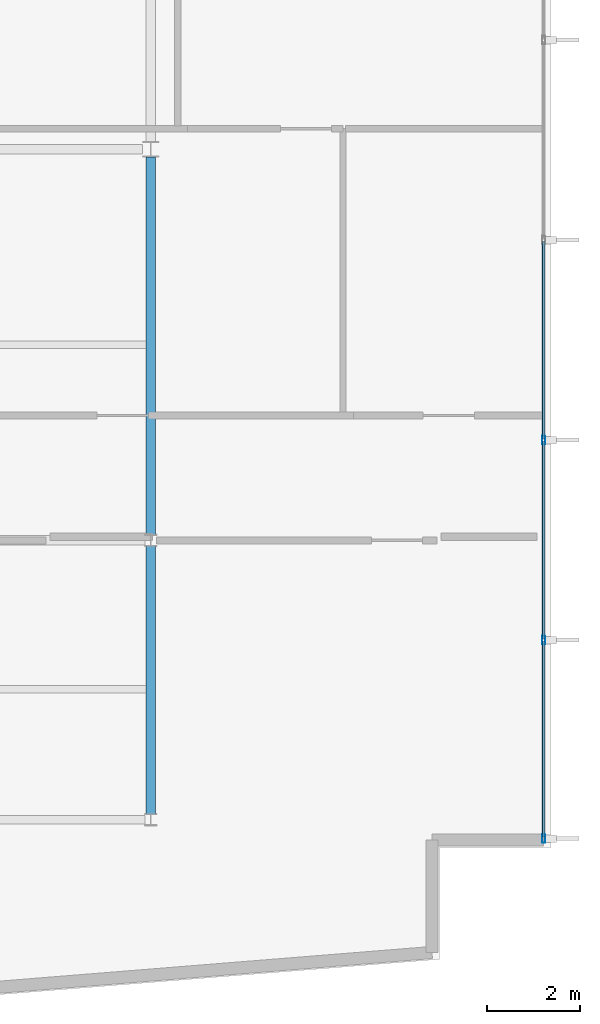
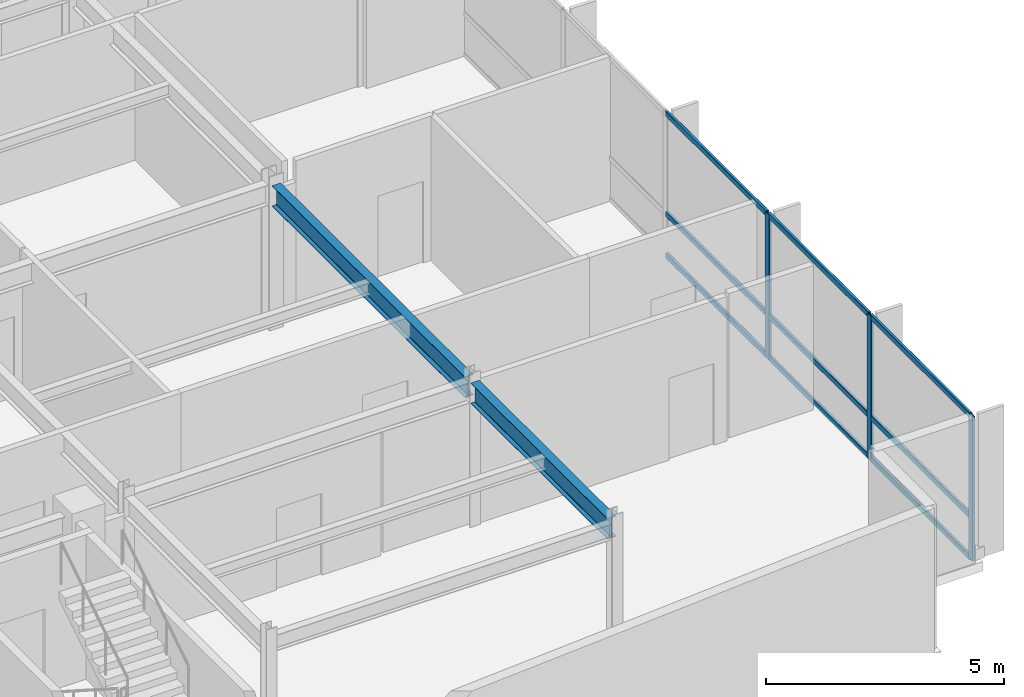
# One storey, part 7 of 16: 12 members, 2 beams, 1 element without a shape of its own.
"""IFC4 building model written with IfcOpenShell, lengths in metres."""

from ifc_helpers import new_model, si_unit, direction, frame, origin, origin_2d, place, context, subcontext, project, spatial, hollow_rectangle, i_section, extrude, material, layer, layer_set, material_profile, profile_set, type_object, element, aggregate, save


model = new_model("IFC4")

# Units and contexts
model_context = context("Model", 3, precision=1e-05, world=origin(), true_north=direction((0.0, 1.0)))
body_context = subcontext(model_context, "Body", "Model", "MODEL_VIEW")
ifc_project = project(units=[si_unit("LENGTHUNIT", "METRE"), si_unit("AREAUNIT", "SQUARE_METRE"), si_unit("VOLUMEUNIT", "CUBIC_METRE"), si_unit("PLANEANGLEUNIT", "RADIAN"), si_unit("MASSUNIT", "GRAM", prefix="KILO")], contexts=[model_context])

# Site, building, storey
site_placement = place(None, origin())
site = spatial("IfcSite", under=ifc_project, at=site_placement, CompositionType="ELEMENT")
building_placement = place(site_placement, origin())
building = spatial("IfcBuilding", under=site, at=building_placement, Name="Varnakote Quay Hospital", CompositionType="ELEMENT")
storey_placement = place(building_placement, frame((0.0, 0.0, 268.39990234375)))
storey = spatial("IfcBuildingStorey", under=building, at=storey_placement, Name="L66", CompositionType="ELEMENT", Elevation=268.39990234375)

# Beams
ifc_material_1 = material(Name="Structural steel AS/NZS 3679.1 Grade 350 L0 (fy 340 MPa)", Category="steel")
ifc_material_profile_1 = material_profile(ifc_material_1, i_section(OverallWidth=0.208984375, OverallDepth=0.528076171875, WebThickness=0.009521484375, FlangeThickness=0.01318359375, FilletRadius=0.013916015625, at=origin_2d()), Name="530UB82.0")
ifc_profile_set_1 = profile_set([ifc_material_profile_1], Name="Structural steel AS/NZS 3679.1 Grade 350 L0 (fy 340 MPa)")
beam_type = type_object("IfcBeamType", Name="BM-STL-530UB82-0", PredefinedType="BEAM", material=ifc_profile_set_1)
beam_1_placement = place(storey_placement, frame((33.60009765625, 6.126953125, 3.446044921875), z_axis=(0.0, 1.0, 0.0), x_axis=(-1.0, 0.0, 0.0)))
element("IfcBeam", 1, at=beam_1_placement, inside=storey, type_object=beam_type, Name="L66 Primary Tie Beam", PredefinedType="BEAM", context=body_context, shape_type="SweptSolid", body=[
    extrude(i_section(OverallWidth=0.208984375, OverallDepth=0.528076171875, WebThickness=0.009521484375, FlangeThickness=0.01318359375, FilletRadius=0.013916015625, at=origin_2d()), origin(), (0.0, 0.0, 1.0), 5.74609375),
])
beam_2_placement = place(storey_placement, frame((33.60009765625, 12.126953125, 3.446044921875), z_axis=(0.0, 1.0, 0.0), x_axis=(-1.0, 0.0, 0.0)))
element("IfcBeam", 2, at=beam_2_placement, inside=storey, type_object=beam_type, Name="L66 Primary Tie Beam", PredefinedType="BEAM", context=body_context, shape_type="SweptSolid", body=[
    extrude(i_section(OverallWidth=0.208984375, OverallDepth=0.528076171875, WebThickness=0.009521484375, FlangeThickness=0.01318359375, FilletRadius=0.013916015625, at=origin_2d()), origin(), (0.0, 0.0, 1.0), 8.10302734375),
])

# Curtain wall, members
ifc_material_2 = material(Name="Anodised aluminium 6063-T6 Bronze", Category="aluminium")
ifc_layer = layer(ifc_material_2, 0.235107421875)
ifc_layer_set = layer_set([ifc_layer], Name="Anodised aluminium 6063-T6 Bronze")
curtain_wall_type = type_object("IfcCurtainWallType", Name="CW-SYS-5", PredefinedType="NOTDEFINED", material=ifc_layer_set)
curtain_wall_placement = place(storey_placement, origin())
curtain_wall = element("IfcCurtainWall", 3, at=curtain_wall_placement, inside=storey, type_object=curtain_wall_type, Name="L66 Unitised Bronze Curtain Wall 1", PredefinedType="NOTDEFINED")
ifc_material_3 = material(Name="Anodised aluminium 6063-T6 Bronze", Category="aluminium")
ifc_material_profile_2 = material_profile(ifc_material_3, hollow_rectangle(XDim=0.06494140625, YDim=0.179931640625, WallThickness=0.00390625, InnerFilletRadius=0.00390625, OuterFilletRadius=0.008056640625, at=origin_2d()), Name="CW-MULL-180x65")
ifc_profile_set_2 = profile_set([ifc_material_profile_2], Name="Anodised aluminium 6063-T6 Bronze")
member_type_1 = type_object("IfcMemberType", Name="CW-MULL-180x65", PredefinedType="MULLION", material=ifc_profile_set_2)
member_1_placement = place(storey_placement, frame((42.0400390625, 5.592529296875, 0.0), z_axis=(0.0, 0.0, 1.0), x_axis=(-1.0, 0.0, 0.0)))
member_1 = element("IfcMember", 4, at=member_1_placement, type_object=member_type_1, Name="-5-L66-1 mullion 1", PredefinedType="MULLION", context=body_context, shape_type="SweptSolid", body=[
    extrude(hollow_rectangle(XDim=0.06494140625, YDim=0.179931640625, WallThickness=0.00390625, InnerFilletRadius=0.00390625, OuterFilletRadius=0.008056640625, at=origin_2d()), origin(), (0.0, 0.0, 1.0), 3.710205078125),
])
member_2_placement = place(storey_placement, frame((42.0400390625, 9.85595703125, 0.0), z_axis=(0.0, 0.0, 1.0), x_axis=(-1.0, 0.0, 0.0)))
member_2 = element("IfcMember", 5, at=member_2_placement, type_object=member_type_1, Name="-5-L66-1 mullion 2", PredefinedType="MULLION", context=body_context, shape_type="SweptSolid", body=[
    extrude(hollow_rectangle(XDim=0.06494140625, YDim=0.179931640625, WallThickness=0.00390625, InnerFilletRadius=0.00390625, OuterFilletRadius=0.008056640625, at=origin_2d()), origin(), (0.0, 0.0, 1.0), 3.710205078125),
])
member_3_placement = place(storey_placement, frame((42.0400390625, 14.152099609375, 0.0), z_axis=(0.0, 0.0, 1.0), x_axis=(-1.0, 0.0, 0.0)))
member_3 = element("IfcMember", 6, at=member_3_placement, type_object=member_type_1, Name="-5-L66-1 mullion 3", PredefinedType="MULLION", context=body_context, shape_type="SweptSolid", body=[
    extrude(hollow_rectangle(XDim=0.06494140625, YDim=0.179931640625, WallThickness=0.00390625, InnerFilletRadius=0.00390625, OuterFilletRadius=0.008056640625, at=origin_2d()), origin(), (0.0, 0.0, 1.0), 3.710205078125),
])
ifc_material_4 = material(Name="Anodised aluminium 6063-T6 Bronze", Category="aluminium")
ifc_material_profile_3 = material_profile(ifc_material_4, hollow_rectangle(XDim=0.06494140625, YDim=0.139892578125, WallThickness=0.00390625, InnerFilletRadius=0.00390625, OuterFilletRadius=0.007568359375, at=origin_2d()), Name="CW-TRAN-140x65")
ifc_profile_set_3 = profile_set([ifc_material_profile_3], Name="Anodised aluminium 6063-T6 Bronze")
member_type_2 = type_object("IfcMemberType", Name="CW-TRAN-140x65", PredefinedType="USERDEFINED", material=ifc_profile_set_3)
member_4_placement = place(storey_placement, frame((42.0400390625, 5.625, 0.03271484375), z_axis=(0.0, 1.0, 0.0), x_axis=(-1.0, 0.0, 0.0)))
member_4 = element("IfcMember", 7, at=member_4_placement, type_object=member_type_2, Name="-5-L66-1 transom 1.1", ObjectType="TRANSOM", PredefinedType="USERDEFINED", context=body_context, shape_type="SweptSolid", body=[
    extrude(hollow_rectangle(XDim=0.06494140625, YDim=0.139892578125, WallThickness=0.00390625, InnerFilletRadius=0.00390625, OuterFilletRadius=0.007568359375, at=origin_2d()), origin(), (0.0, 0.0, 1.0), 4.198486328125),
])
member_5_placement = place(storey_placement, frame((42.0400390625, 5.625, 1.10009765625), z_axis=(0.0, 1.0, 0.0), x_axis=(-1.0, 0.0, 0.0)))
member_5 = element("IfcMember", 8, at=member_5_placement, type_object=member_type_2, Name="-5-L66-1 transom 1.2", ObjectType="TRANSOM", PredefinedType="USERDEFINED", context=body_context, shape_type="SweptSolid", body=[
    extrude(hollow_rectangle(XDim=0.06494140625, YDim=0.139892578125, WallThickness=0.00390625, InnerFilletRadius=0.00390625, OuterFilletRadius=0.007568359375, at=origin_2d()), origin(), (0.0, 0.0, 1.0), 4.198486328125),
])
member_6_placement = place(storey_placement, frame((42.0400390625, 5.625, 3.677490234375), z_axis=(0.0, 1.0, 0.0), x_axis=(-1.0, 0.0, 0.0)))
member_6 = element("IfcMember", 9, at=member_6_placement, type_object=member_type_2, Name="-5-L66-1 transom 1.3", ObjectType="TRANSOM", PredefinedType="USERDEFINED", context=body_context, shape_type="SweptSolid", body=[
    extrude(hollow_rectangle(XDim=0.06494140625, YDim=0.139892578125, WallThickness=0.00390625, InnerFilletRadius=0.00390625, OuterFilletRadius=0.007568359375, at=origin_2d()), origin(), (0.0, 0.0, 1.0), 4.198486328125),
])
member_7_placement = place(storey_placement, frame((42.0400390625, 9.888427734375, 0.03271484375), z_axis=(0.0, 1.0, 0.0), x_axis=(-1.0, 0.0, 0.0)))
member_7 = element("IfcMember", 10, at=member_7_placement, type_object=member_type_2, Name="-5-L66-1 transom 2.1", ObjectType="TRANSOM", PredefinedType="USERDEFINED", context=body_context, shape_type="SweptSolid", body=[
    extrude(hollow_rectangle(XDim=0.06494140625, YDim=0.139892578125, WallThickness=0.00390625, InnerFilletRadius=0.00390625, OuterFilletRadius=0.007568359375, at=origin_2d()), origin(), (0.0, 0.0, 1.0), 4.23095703125),
])
member_8_placement = place(storey_placement, frame((42.0400390625, 9.888427734375, 1.10009765625), z_axis=(0.0, 1.0, 0.0), x_axis=(-1.0, 0.0, 0.0)))
member_8 = element("IfcMember", 11, at=member_8_placement, type_object=member_type_2, Name="-5-L66-1 transom 2.2", ObjectType="TRANSOM", PredefinedType="USERDEFINED", context=body_context, shape_type="SweptSolid", body=[
    extrude(hollow_rectangle(XDim=0.06494140625, YDim=0.139892578125, WallThickness=0.00390625, InnerFilletRadius=0.00390625, OuterFilletRadius=0.007568359375, at=origin_2d()), origin(), (0.0, 0.0, 1.0), 4.23095703125),
])
member_9_placement = place(storey_placement, frame((42.0400390625, 9.888427734375, 3.677490234375), z_axis=(0.0, 1.0, 0.0), x_axis=(-1.0, 0.0, 0.0)))
member_9 = element("IfcMember", 12, at=member_9_placement, type_object=member_type_2, Name="-5-L66-1 transom 2.3", ObjectType="TRANSOM", PredefinedType="USERDEFINED", context=body_context, shape_type="SweptSolid", body=[
    extrude(hollow_rectangle(XDim=0.06494140625, YDim=0.139892578125, WallThickness=0.00390625, InnerFilletRadius=0.00390625, OuterFilletRadius=0.007568359375, at=origin_2d()), origin(), (0.0, 0.0, 1.0), 4.23095703125),
])
member_10_placement = place(storey_placement, frame((42.0400390625, 14.1845703125, 0.03271484375), z_axis=(0.0, 1.0, 0.0), x_axis=(-1.0, 0.0, 0.0)))
member_10 = element("IfcMember", 13, at=member_10_placement, type_object=member_type_2, Name="-5-L66-1 transom 3.1", ObjectType="TRANSOM", PredefinedType="USERDEFINED", context=body_context, shape_type="SweptSolid", body=[
    extrude(hollow_rectangle(XDim=0.06494140625, YDim=0.139892578125, WallThickness=0.00390625, InnerFilletRadius=0.00390625, OuterFilletRadius=0.007568359375, at=origin_2d()), origin(), (0.0, 0.0, 1.0), 4.23095703125),
])
member_11_placement = place(storey_placement, frame((42.0400390625, 14.1845703125, 1.10009765625), z_axis=(0.0, 1.0, 0.0), x_axis=(-1.0, 0.0, 0.0)))
member_11 = element("IfcMember", 14, at=member_11_placement, type_object=member_type_2, Name="-5-L66-1 transom 3.2", ObjectType="TRANSOM", PredefinedType="USERDEFINED", context=body_context, shape_type="SweptSolid", body=[
    extrude(hollow_rectangle(XDim=0.06494140625, YDim=0.139892578125, WallThickness=0.00390625, InnerFilletRadius=0.00390625, OuterFilletRadius=0.007568359375, at=origin_2d()), origin(), (0.0, 0.0, 1.0), 4.23095703125),
])
member_12_placement = place(storey_placement, frame((42.0400390625, 14.1845703125, 3.677490234375), z_axis=(0.0, 1.0, 0.0), x_axis=(-1.0, 0.0, 0.0)))
member_12 = element("IfcMember", 15, at=member_12_placement, type_object=member_type_2, Name="-5-L66-1 transom 3.3", ObjectType="TRANSOM", PredefinedType="USERDEFINED", context=body_context, shape_type="SweptSolid", body=[
    extrude(hollow_rectangle(XDim=0.06494140625, YDim=0.139892578125, WallThickness=0.00390625, InnerFilletRadius=0.00390625, OuterFilletRadius=0.007568359375, at=origin_2d()), origin(), (0.0, 0.0, 1.0), 4.23095703125),
])
aggregate(curtain_wall, [member_1, member_2, member_3, member_4, member_5, member_6, member_7, member_8, member_9, member_10, member_11, member_12])

save(model, "model.ifc")
